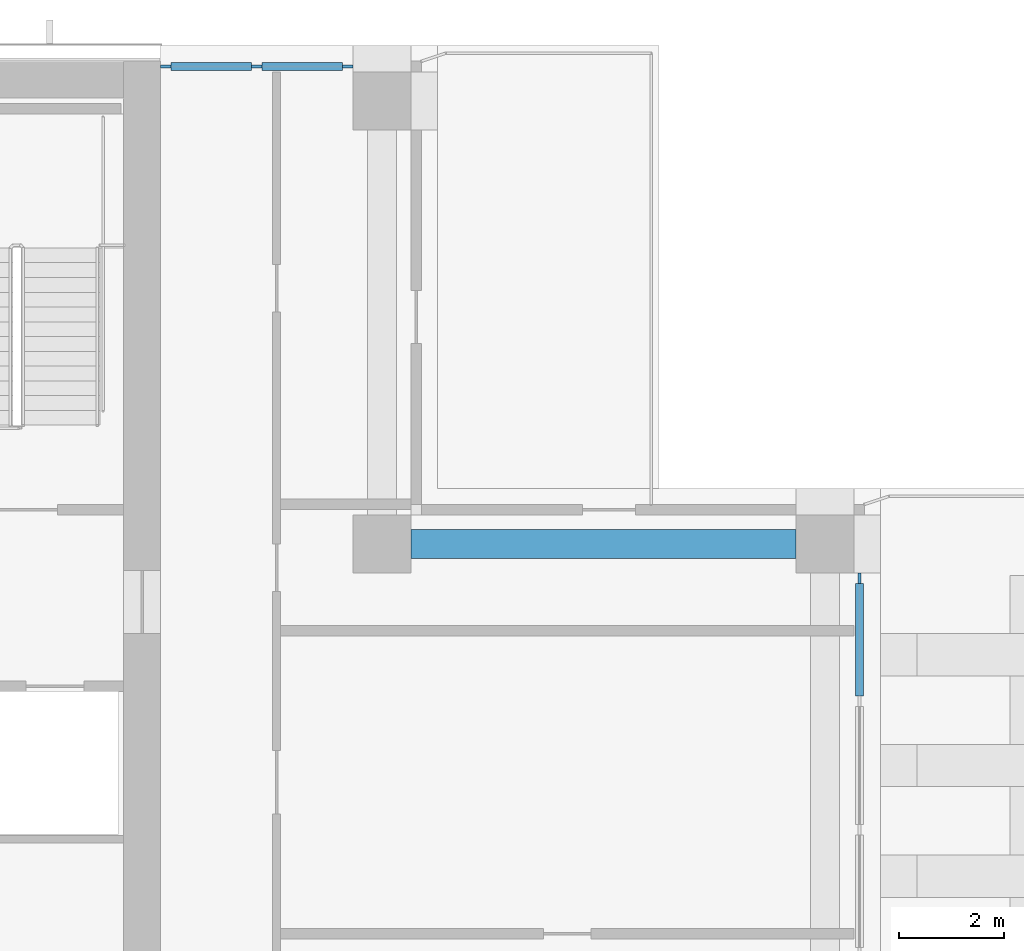
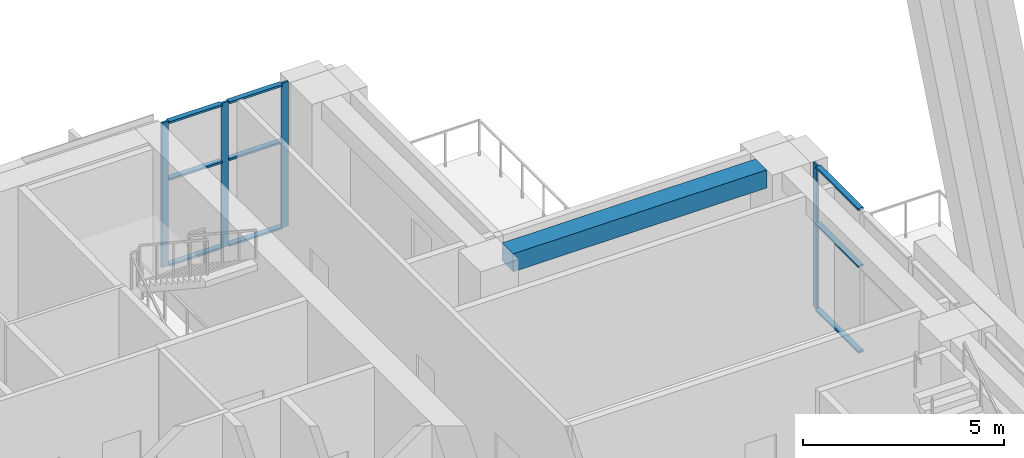
# One storey, part 6 of 19: 13 members, 1 beam, 2 elements without a shape of their own.
"""IFC4 building model written with IfcOpenShell, lengths in metres."""

from ifc_helpers import new_model, si_unit, direction, frame, origin, origin_2d, place, context, subcontext, project, spatial, rectangle, extrude, material, material_profile, profile_set, type_object, element, aggregate, save


model = new_model("IFC4")

# Units and contexts
model_context = context("Model", 3, precision=1e-05, world=origin(), true_north=direction((0.0, 1.0)))
body_context = subcontext(model_context, "Body", "Model", "MODEL_VIEW")
ifc_project = project(units=[si_unit("LENGTHUNIT", "METRE"), si_unit("AREAUNIT", "SQUARE_METRE"), si_unit("VOLUMEUNIT", "CUBIC_METRE"), si_unit("PLANEANGLEUNIT", "RADIAN"), si_unit("MASSUNIT", "GRAM", prefix="KILO")], contexts=[model_context])

# Site, building, storey
site_placement = place(None, origin())
site = spatial("IfcSite", under=ifc_project, at=site_placement, CompositionType="ELEMENT")
building_placement = place(site_placement, origin())
building = spatial("IfcBuilding", under=site, at=building_placement, Name="Vermilion Ogive Tower", CompositionType="ELEMENT")
storey_placement = place(building_placement, frame((0.0, 0.0, 128.300048828125)))
storey = spatial("IfcBuildingStorey", under=building, at=storey_placement, Name="L32", CompositionType="ELEMENT", Elevation=128.300048828125)

# Curtain wall, member
ifc_material_1 = material(Name="Low-iron laminated glazing in aluminium frame", Category="aluminium")
curtain_wall_type = type_object("IfcCurtainWallType", Name="Curtain wall CW6", PredefinedType="NOTDEFINED", material=ifc_material_1)
curtain_wall_1_placement = place(storey_placement, origin())
curtain_wall_1 = element("IfcCurtainWall", 1, at=curtain_wall_1_placement, inside=storey, type_object=curtain_wall_type, Name="CW6 sky lobby glazing E3", PredefinedType="NOTDEFINED")
ifc_material_2 = material(Name="Aluminium mullion", Category="aluminium")
ifc_material_profile_1 = material_profile(ifc_material_2, rectangle(XDim=0.06005859375, YDim=0.199951171875, at=origin_2d()), Name="AL 60x200")
ifc_profile_set_1 = profile_set([ifc_material_profile_1], Name="Aluminium mullion")
member_type_1 = type_object("IfcMemberType", Name="CW6 mullion 60x200", PredefinedType="MULLION", material=ifc_profile_set_1)
member_1_placement = place(storey_placement, frame((21.64990234375, 11.949951171875, 0.0), z_axis=(0.0, 0.0, 1.0), x_axis=(-1.0, 0.0, 0.0)))
member_1 = element("IfcMember", 2, at=member_1_placement, type_object=member_type_1, Name="CW6-E3 mullion 4", PredefinedType="MULLION", context=body_context, shape_type="SweptSolid", body=[
    extrude(rectangle(XDim=0.06005859375, YDim=0.199951171875, at=origin_2d()), origin(), (0.0, 0.0, 1.0), 4.39990234375),
])

# Curtain wall, members
curtain_wall_2_placement = place(storey_placement, origin())
curtain_wall_2 = element("IfcCurtainWall", 3, at=curtain_wall_2_placement, inside=storey, type_object=curtain_wall_type, Name="CW6 sky lobby glazing N11", PredefinedType="NOTDEFINED")
member_2_placement = place(storey_placement, frame((11.949951171875, 21.64990234375, 0.0), z_axis=(0.0, 0.0, 1.0), x_axis=(0.0, -1.0, 0.0)))
member_2 = element("IfcMember", 4, at=member_2_placement, type_object=member_type_1, Name="CW6-N11 mullion 1", PredefinedType="MULLION", context=body_context, shape_type="SweptSolid", body=[
    extrude(rectangle(XDim=0.06005859375, YDim=0.199951171875, at=origin_2d()), origin(), (0.0, 0.0, 1.0), 4.39990234375),
])
member_3_placement = place(storey_placement, frame((10.22509765625, 21.64990234375, 0.0), z_axis=(0.0, 0.0, 1.0), x_axis=(0.0, -1.0, 0.0)))
member_3 = element("IfcMember", 5, at=member_3_placement, type_object=member_type_1, Name="CW6-N11 mullion 2", PredefinedType="MULLION", context=body_context, shape_type="SweptSolid", body=[
    extrude(rectangle(XDim=0.06005859375, YDim=0.199951171875, at=origin_2d()), origin(), (0.0, 0.0, 1.0), 4.39990234375),
])
member_4_placement = place(storey_placement, frame((8.5, 21.64990234375, 0.0), z_axis=(0.0, 0.0, 1.0), x_axis=(0.0, -1.0, 0.0)))
member_4 = element("IfcMember", 6, at=member_4_placement, type_object=member_type_1, Name="CW6-N11 mullion 3", PredefinedType="MULLION", context=body_context, shape_type="SweptSolid", body=[
    extrude(rectangle(XDim=0.06005859375, YDim=0.199951171875, at=origin_2d()), origin(), (0.0, 0.0, 1.0), 4.39990234375),
])

# Member
ifc_material_3 = material(Name="Aluminium transom", Category="aluminium")
ifc_material_profile_2 = material_profile(ifc_material_3, rectangle(XDim=0.14990234375, YDim=0.06005859375, at=origin_2d()), Name="AL 60x150")
ifc_profile_set_2 = profile_set([ifc_material_profile_2], Name="Aluminium transom")
member_type_2 = type_object("IfcMemberType", Name="CW6 transom 60x150", PredefinedType="USERDEFINED", material=ifc_profile_set_2)
member_5_placement = place(storey_placement, frame((21.64990234375, 9.716552734375, 0.030029296875), z_axis=(0.0, 1.0, 0.0), x_axis=(-1.0, 0.0, 0.0)))
member_5 = element("IfcMember", 7, at=member_5_placement, type_object=member_type_2, Name="CW6-E3 transom 3.1", ObjectType="TRANSOM", PredefinedType="USERDEFINED", context=body_context, shape_type="SweptSolid", body=[
    extrude(rectangle(XDim=0.14990234375, YDim=0.06005859375, at=origin_2d()), origin(), (0.0, 0.0, 1.0), 2.133544921875),
])

member_6_placement = place(storey_placement, frame((21.64990234375, 9.716552734375, 2.639892578125), z_axis=(0.0, 1.0, 0.0), x_axis=(-1.0, 0.0, 0.0)))
member_6 = element("IfcMember", 8, at=member_6_placement, type_object=member_type_2, Name="CW6-E3 transom 3.2", ObjectType="TRANSOM", PredefinedType="USERDEFINED", context=body_context, shape_type="SweptSolid", body=[
    extrude(rectangle(XDim=0.14990234375, YDim=0.06005859375, at=origin_2d()), origin(), (0.0, 0.0, 1.0), 2.133544921875),
])

member_7_placement = place(storey_placement, frame((21.64990234375, 9.716552734375, 4.369873046875), z_axis=(0.0, 1.0, 0.0), x_axis=(-1.0, 0.0, 0.0)))
member_7 = element("IfcMember", 9, at=member_7_placement, type_object=member_type_2, Name="CW6-E3 transom 3.3", ObjectType="TRANSOM", PredefinedType="USERDEFINED", context=body_context, shape_type="SweptSolid", body=[
    extrude(rectangle(XDim=0.14990234375, YDim=0.06005859375, at=origin_2d()), origin(), (0.0, 0.0, 1.0), 2.133544921875),
])

aggregate(curtain_wall_1, [member_1, member_5, member_6, member_7])

member_8_placement = place(storey_placement, frame((11.85009765625, 21.64990234375, 0.030029296875), z_axis=(-1.0, 0.0, 0.0), x_axis=(0.0, -1.0, 0.0)))
member_8 = element("IfcMember", 10, at=member_8_placement, type_object=member_type_2, Name="CW6-N11 transom 1.1", ObjectType="TRANSOM", PredefinedType="USERDEFINED", context=body_context, shape_type="SweptSolid", body=[
    extrude(rectangle(XDim=0.14990234375, YDim=0.06005859375, at=origin_2d()), origin(), (0.0, 0.0, 1.0), 1.525146484375),
])

member_9_placement = place(storey_placement, frame((11.85009765625, 21.64990234375, 2.639892578125), z_axis=(-1.0, 0.0, 0.0), x_axis=(0.0, -1.0, 0.0)))
member_9 = element("IfcMember", 11, at=member_9_placement, type_object=member_type_2, Name="CW6-N11 transom 1.2", ObjectType="TRANSOM", PredefinedType="USERDEFINED", context=body_context, shape_type="SweptSolid", body=[
    extrude(rectangle(XDim=0.14990234375, YDim=0.06005859375, at=origin_2d()), origin(), (0.0, 0.0, 1.0), 1.525146484375),
])

member_10_placement = place(storey_placement, frame((11.85009765625, 21.64990234375, 4.369873046875), z_axis=(-1.0, 0.0, 0.0), x_axis=(0.0, -1.0, 0.0)))
member_10 = element("IfcMember", 12, at=member_10_placement, type_object=member_type_2, Name="CW6-N11 transom 1.3", ObjectType="TRANSOM", PredefinedType="USERDEFINED", context=body_context, shape_type="SweptSolid", body=[
    extrude(rectangle(XDim=0.14990234375, YDim=0.06005859375, at=origin_2d()), origin(), (0.0, 0.0, 1.0), 1.525146484375),
])

member_11_placement = place(storey_placement, frame((10.125, 21.64990234375, 0.030029296875), z_axis=(-1.0, 0.0, 0.0), x_axis=(0.0, -1.0, 0.0)))
member_11 = element("IfcMember", 13, at=member_11_placement, type_object=member_type_2, Name="CW6-N11 transom 2.1", ObjectType="TRANSOM", PredefinedType="USERDEFINED", context=body_context, shape_type="SweptSolid", body=[
    extrude(rectangle(XDim=0.14990234375, YDim=0.06005859375, at=origin_2d()), origin(), (0.0, 0.0, 1.0), 1.52490234375),
])

member_12_placement = place(storey_placement, frame((10.125, 21.64990234375, 2.639892578125), z_axis=(-1.0, 0.0, 0.0), x_axis=(0.0, -1.0, 0.0)))
member_12 = element("IfcMember", 14, at=member_12_placement, type_object=member_type_2, Name="CW6-N11 transom 2.2", ObjectType="TRANSOM", PredefinedType="USERDEFINED", context=body_context, shape_type="SweptSolid", body=[
    extrude(rectangle(XDim=0.14990234375, YDim=0.06005859375, at=origin_2d()), origin(), (0.0, 0.0, 1.0), 1.52490234375),
])

member_13_placement = place(storey_placement, frame((10.125, 21.64990234375, 4.369873046875), z_axis=(-1.0, 0.0, 0.0), x_axis=(0.0, -1.0, 0.0)))
member_13 = element("IfcMember", 15, at=member_13_placement, type_object=member_type_2, Name="CW6-N11 transom 2.3", ObjectType="TRANSOM", PredefinedType="USERDEFINED", context=body_context, shape_type="SweptSolid", body=[
    extrude(rectangle(XDim=0.14990234375, YDim=0.06005859375, at=origin_2d()), origin(), (0.0, 0.0, 1.0), 1.52490234375),
])

aggregate(curtain_wall_2, [member_2, member_3, member_4, member_8, member_9, member_10, member_11, member_12, member_13])

# Beam
ifc_material_4 = material(Name="Concrete B45", Category="concrete")
ifc_material_profile_3 = material_profile(ifc_material_4, rectangle(XDim=0.550048828125, YDim=0.550048828125, at=origin_2d()), Name="550 x 550")
ifc_profile_set_3 = profile_set([ifc_material_profile_3], Name="Concrete B45")
beam_type = type_object("IfcBeamType", Name="Edge beam 550 x 550 B45", PredefinedType="BEAM", material=ifc_profile_set_3)
beam_placement = place(storey_placement, frame((20.449951171875, 12.60009765625, 4.125), z_axis=(-1.0, 0.0, 0.0), x_axis=(0.0, -1.0, 0.0)))
element("IfcBeam", 16, at=beam_placement, inside=storey, type_object=beam_type, Name="L32-EB-9", PredefinedType="BEAM", context=body_context, shape_type="SweptSolid", body=[
    extrude(rectangle(XDim=0.550048828125, YDim=0.550048828125, at=origin_2d()), origin(), (0.0, 0.0, 1.0), 7.300048828125),
])

save(model, "model.ifc")
